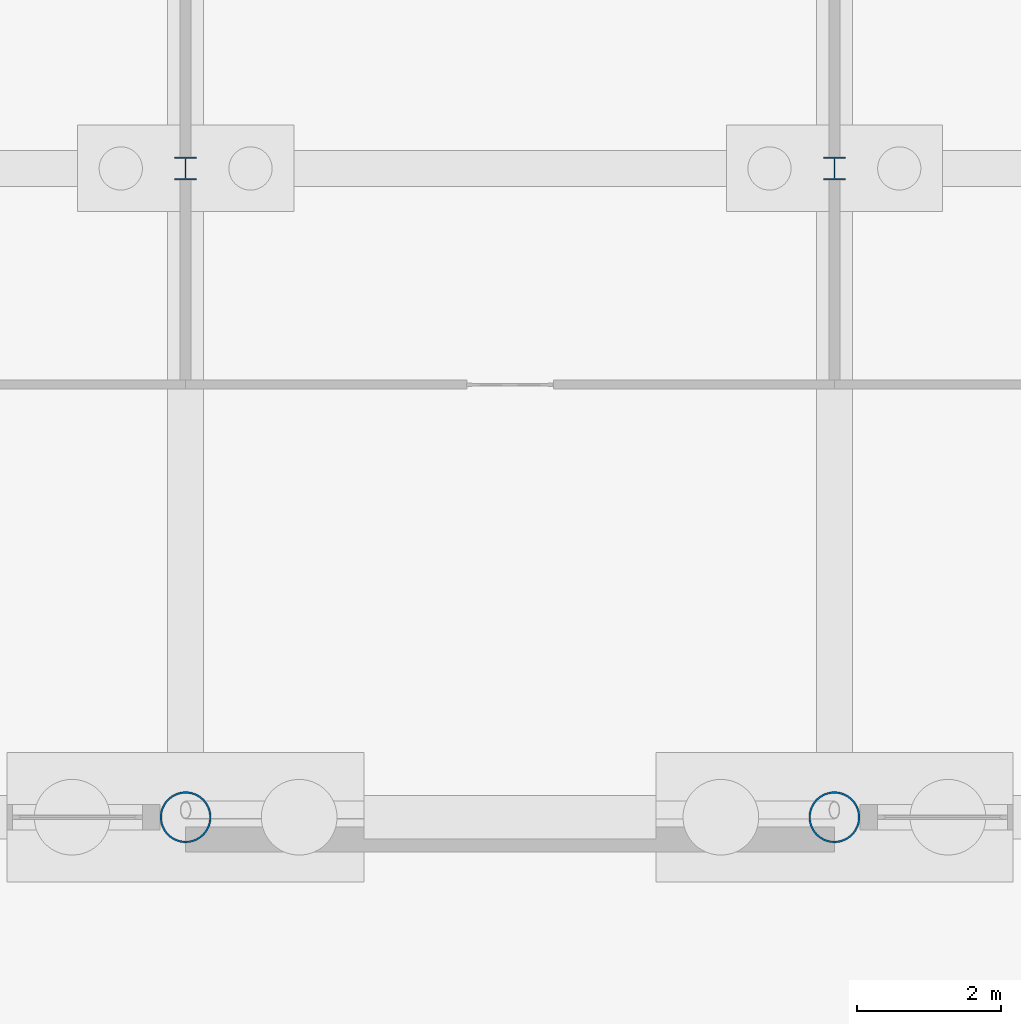
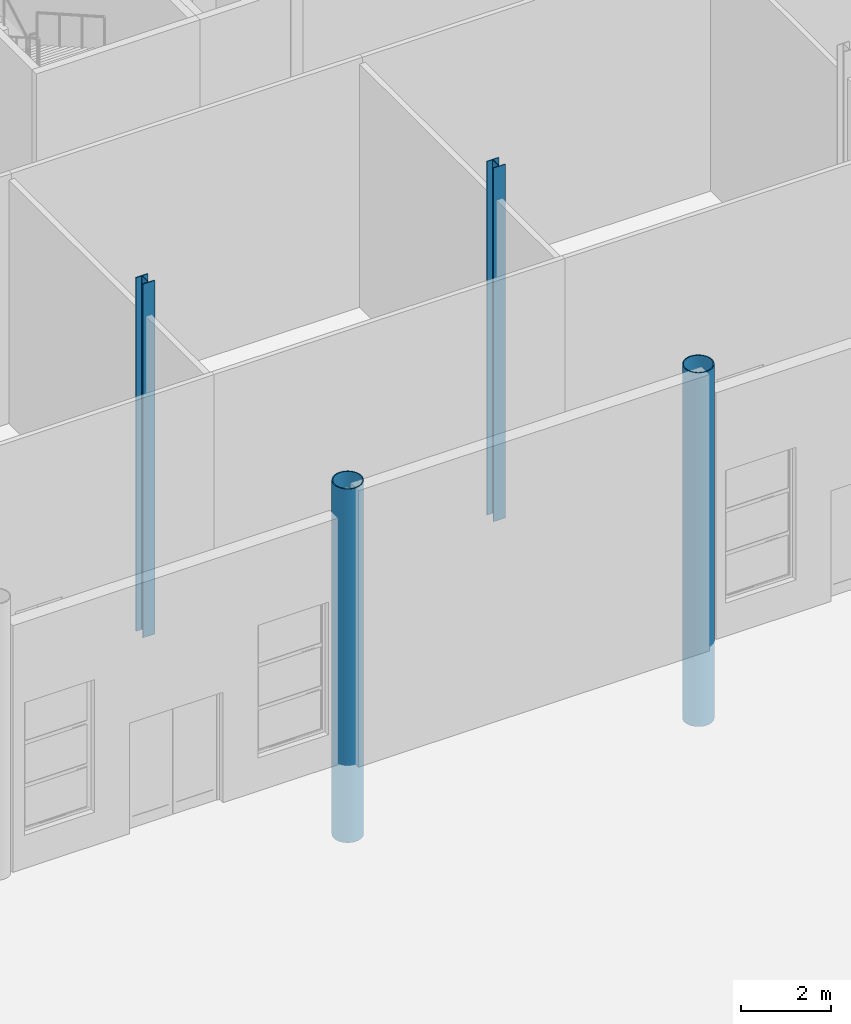
# One storey, part 24 of 250: 4 columns.
"""IFC4 building model written with IfcOpenShell, lengths in metres."""

from ifc_helpers import new_model, si_unit, direction, frame, origin, origin_2d, place, context, subcontext, project, spatial, hollow_circle, i_section, extrude, material, material_profile, profile_set, type_object, element, save


model = new_model("IFC4")

# Units and contexts
model_context = context("Model", 3, precision=1e-05, world=origin(), true_north=direction((0.0, 1.0)))
body_context = subcontext(model_context, "Body", "Model", "MODEL_VIEW")
ifc_project = project(units=[si_unit("LENGTHUNIT", "METRE"), si_unit("AREAUNIT", "SQUARE_METRE"), si_unit("VOLUMEUNIT", "CUBIC_METRE"), si_unit("PLANEANGLEUNIT", "RADIAN"), si_unit("MASSUNIT", "GRAM", prefix="KILO")], contexts=[model_context])

# Site, building, storey
site_placement = place(None, origin())
site = spatial("IfcSite", under=ifc_project, at=site_placement, CompositionType="ELEMENT")
building_placement = place(site_placement, origin())
building = spatial("IfcBuilding", under=site, at=building_placement, Name="Baradari Gate Terminus", CompositionType="ELEMENT")
storey_placement = place(building_placement, origin())
storey = spatial("IfcBuildingStorey", under=building, at=storey_placement, Name="L00", CompositionType="ELEMENT", Elevation=0.0)

# Columns
ifc_material_1 = material(Name="Steel S355", Category="steel")
ifc_material_profile_1 = material_profile(ifc_material_1, hollow_circle(Radius=0.35546875, WallThickness=0.02490234375, at=origin_2d()), Name="CHS 711x25")
ifc_profile_set_1 = profile_set([ifc_material_profile_1], Name="Steel S355")
column_type_1 = type_object("IfcColumnType", Name="Braced north shed column C10 CHS 711x25", PredefinedType="COLUMN", material=ifc_profile_set_1)
for number, where, z_axis, x_axis, name in (
    (1, (180.0, 81.0, -2.10009765625), (0.0, 0.0, 1.0), (1.0, 0.0, 0.0), "C10 column 21-K L00"),
    (2, (189.0, 81.0, -2.10009765625), (0.0, 0.0, 1.0), (1.0, 0.0, 0.0), "C10 column 22-K L00"),
):
    element("IfcColumn", number, at=place(storey_placement, frame(where, z_axis=z_axis, x_axis=x_axis)), inside=storey, type_object=column_type_1, Name=name, PredefinedType="COLUMN", context=body_context, shape_type="SweptSolid", body=[
        extrude(hollow_circle(Radius=0.35546875, WallThickness=0.02490234375, at=origin_2d()), origin(), (0.0, 0.0, 1.0), 9.60009765625),
    ])
ifc_material_2 = material(Name="Steel S355", Category="steel")
ifc_material_profile_2 = material_profile(ifc_material_2, i_section(OverallWidth=0.307373046875, OverallDepth=0.314453125, WebThickness=0.011962890625, FlangeThickness=0.018798828125, FilletRadius=0.01513671875, at=origin_2d()), Name="UC 305x305x118")
ifc_profile_set_2 = profile_set([ifc_material_profile_2], Name="Steel S355")
column_type_2 = type_object("IfcColumnType", Name="Head-house column C07 UC 305x305x118", PredefinedType="COLUMN", material=ifc_profile_set_2)
for number, where, z_axis, x_axis, name in (
    (3, (180.0, 90.0, -2.10009765625), (0.0, 0.0, 1.0), (1.0, 0.0, 0.0), "C07 column 21-L L00"),
    (4, (189.0, 90.0, -2.10009765625), (0.0, 0.0, 1.0), (1.0, 0.0, 0.0), "C07 column 22-L L00"),
):
    element("IfcColumn", number, at=place(storey_placement, frame(where, z_axis=z_axis, x_axis=x_axis)), inside=storey, type_object=column_type_2, Name=name, PredefinedType="COLUMN", context=body_context, shape_type="SweptSolid", body=[
        extrude(i_section(OverallWidth=0.307373046875, OverallDepth=0.314453125, WebThickness=0.011962890625, FlangeThickness=0.018798828125, FilletRadius=0.01513671875, at=origin_2d()), origin(), (0.0, 0.0, 1.0), 9.60009765625),
    ])

save(model, "model.ifc")
